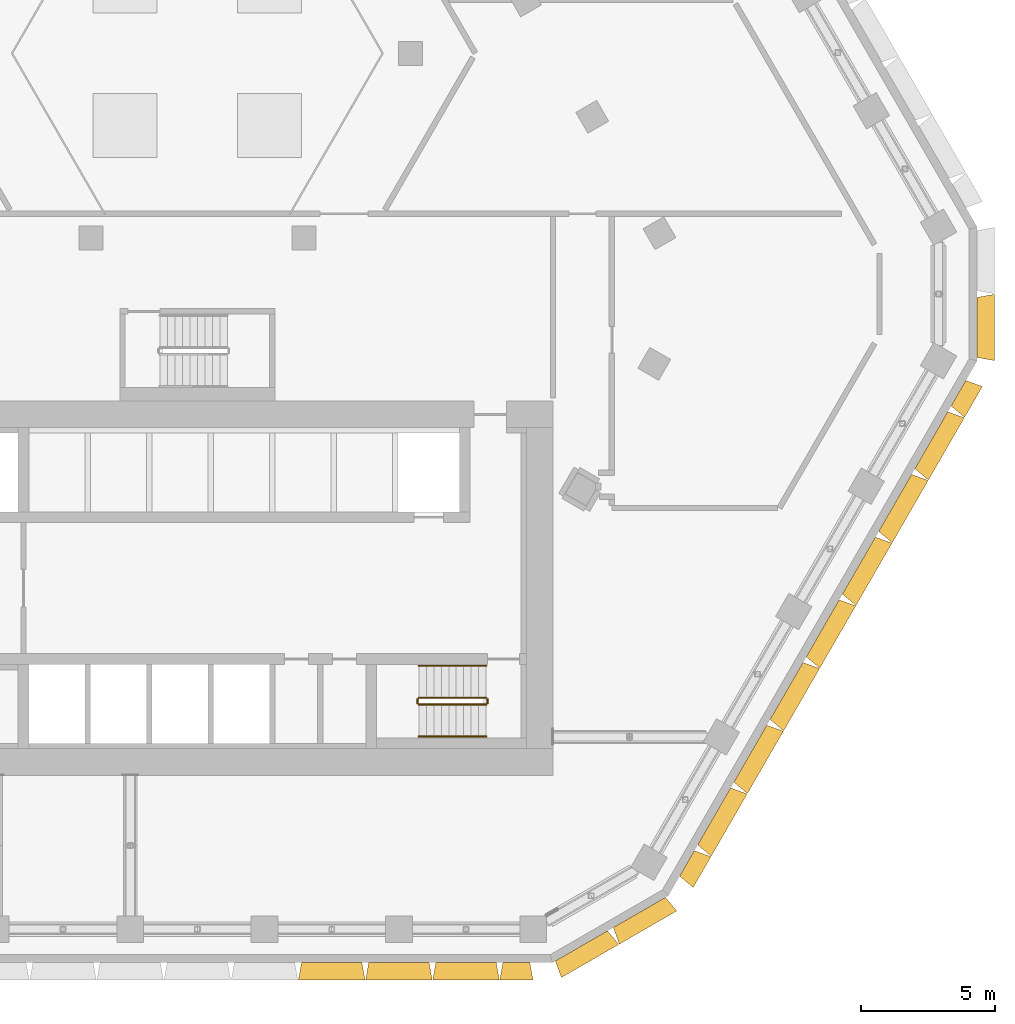
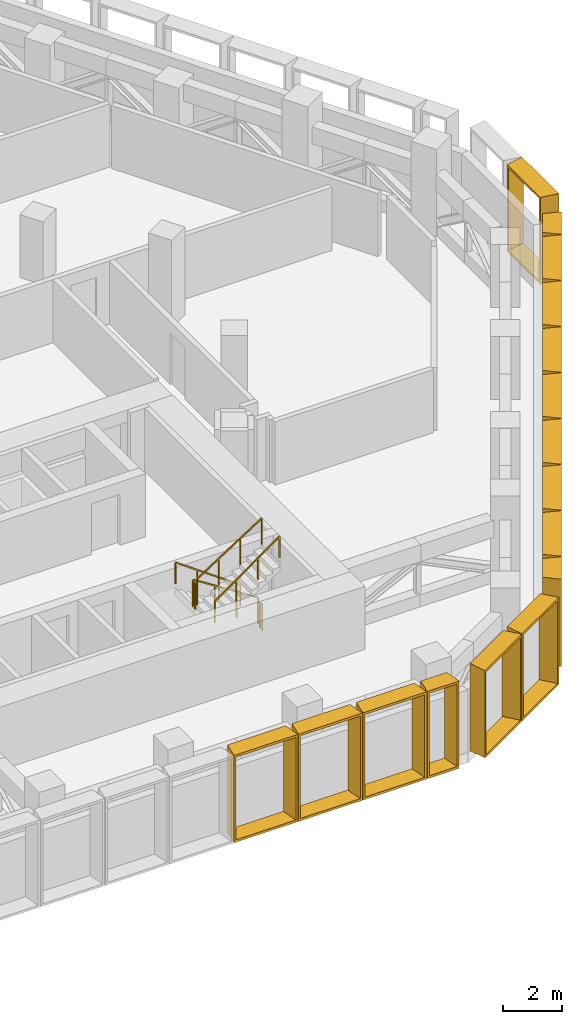
# One storey, part 22 of 23: 16 shading devices, 6 railings.
"""IFC4 building model written with IfcOpenShell, lengths in metres."""

from ifc_helpers import new_model, entity, si_unit, direction, frame, origin, origin_2d, place, context, subcontext, project, spatial, rectangle, extrude, source, transform, mapped, material, type_object, type_shapes, element, save


model = new_model("IFC4")

# Units and contexts
model_context = context("Model", 3, precision=1e-05, world=origin(), true_north=direction((0.0, 1.0)))
body_context = subcontext(model_context, "Body", "Model", "MODEL_VIEW")
ifc_project = project(units=[si_unit("LENGTHUNIT", "METRE"), si_unit("AREAUNIT", "SQUARE_METRE"), si_unit("VOLUMEUNIT", "CUBIC_METRE"), si_unit("PLANEANGLEUNIT", "RADIAN"), si_unit("MASSUNIT", "GRAM", prefix="KILO")], contexts=[model_context])

# Site, building, storey
site_placement = place(None, origin())
site = spatial("IfcSite", under=ifc_project, at=site_placement, CompositionType="ELEMENT")
building_placement = place(site_placement, origin())
building = spatial("IfcBuilding", under=site, at=building_placement, Name="Beryl Residences", CompositionType="ELEMENT")
storey_placement = place(building_placement, frame((0.0, 0.0, 108.0)))
storey = spatial("IfcBuildingStorey", under=building, at=storey_placement, Name="L33", CompositionType="ELEMENT", Elevation=108.0)

# Shading devices
ifc_material_1 = material(Name="Aluminium pale anodised", Category="aluminium")
shading_device_type_1 = type_object("IfcShadingDeviceType", Name="FR126-65A-H36 OUTER SKIN frame 650 mm deep, splay 10/10 deg, 1260 x 3600 mm cell", PredefinedType="USERDEFINED", material=ifc_material_1)
cartesian_point_1 = entity("IfcCartesianPoint", [-0.5048828125, 0.0])
cartesian_point_2 = entity("IfcCartesianPoint", [-0.423828125, 0.10009765625])
cartesian_point_3 = entity("IfcCartesianPoint", [-0.61962890625, 0.0])
cartesian_point_4 = entity("IfcCartesianPoint", [-0.538330078125, 0.10009765625])
shared_shape_1 = source(origin(), body_context, "Body", "SweptSolid", [
    entity("IfcExtrudedAreaSolidTapered", entity("IfcArbitraryProfileDefWithVoids", "AREA", None, entity("IfcPolyline", [cartesian_point_1, entity("IfcCartesianPoint", [0.5048828125, 0.0]), entity("IfcCartesianPoint", [0.5048828125, 3.60009765625]), entity("IfcCartesianPoint", [-0.5048828125, 3.60009765625]), cartesian_point_1]), [entity("IfcPolyline", [cartesian_point_2, entity("IfcCartesianPoint", [0.423828125, 0.10009765625]), entity("IfcCartesianPoint", [0.423828125, 3.5]), entity("IfcCartesianPoint", [-0.423828125, 3.5]), cartesian_point_2])]), entity("IfcAxis2Placement3D", entity("IfcCartesianPoint", [0.0, 0.0, 0.0]), entity("IfcDirection", [0.0, 1.0, 0.0]), entity("IfcDirection", [-1.0, 0.0, 0.0])), entity("IfcDirection", [0.0, 0.0, 1.0]), 0.64990234375, entity("IfcArbitraryProfileDefWithVoids", "AREA", None, entity("IfcPolyline", [cartesian_point_3, entity("IfcCartesianPoint", [0.61962890625, 0.0]), entity("IfcCartesianPoint", [0.61962890625, 3.60009765625]), entity("IfcCartesianPoint", [-0.61962890625, 3.60009765625]), cartesian_point_3]), [entity("IfcPolyline", [cartesian_point_4, entity("IfcCartesianPoint", [0.538330078125, 0.10009765625]), entity("IfcCartesianPoint", [0.538330078125, 3.5]), entity("IfcCartesianPoint", [-0.538330078125, 3.5]), cartesian_point_4])])),
])
type_shapes(shading_device_type_1, [shared_shape_1])
shading_device_placement = place(storey_placement, frame((11.929931640625, -26.0, 0.0), z_axis=(0.0, 0.0, 1.0), x_axis=(-1.0, 0.0, 0.0)))
element("IfcShadingDevice", 1, at=shading_device_placement, inside=storey, type_object=shading_device_type_1, Name="FR126-65A-H36 frame L33 S 11", ObjectType="OUTER SKIN", PredefinedType="USERDEFINED", context=body_context, shape_type="MappedRepresentation", body=[
    mapped(shared_shape_1, transform((0.0, 0.0, 0.0))),
])
ifc_material_2 = material(Name="Aluminium pale anodised", Category="aluminium")
shading_device_type_2 = type_object("IfcShadingDeviceType", Name="FR135-65A-H36 OUTER SKIN frame 650 mm deep, splay 10/10 deg, 1350 x 3600 mm cell", PredefinedType="USERDEFINED", material=ifc_material_2)
cartesian_point_5 = entity("IfcCartesianPoint", [-0.550048828125, 0.0])
cartesian_point_6 = entity("IfcCartesianPoint", [-0.46875, 0.10009765625])
cartesian_point_7 = entity("IfcCartesianPoint", [-0.66455078125, 0.0])
cartesian_point_8 = entity("IfcCartesianPoint", [-0.58349609375, 0.10009765625])
shared_shape_2 = source(origin(), body_context, "Body", "SweptSolid", [
    entity("IfcExtrudedAreaSolidTapered", entity("IfcArbitraryProfileDefWithVoids", "AREA", None, entity("IfcPolyline", [cartesian_point_5, entity("IfcCartesianPoint", [0.550048828125, 0.0]), entity("IfcCartesianPoint", [0.550048828125, 3.60009765625]), entity("IfcCartesianPoint", [-0.550048828125, 3.60009765625]), cartesian_point_5]), [entity("IfcPolyline", [cartesian_point_6, entity("IfcCartesianPoint", [0.46875, 0.10009765625]), entity("IfcCartesianPoint", [0.46875, 3.5]), entity("IfcCartesianPoint", [-0.46875, 3.5]), cartesian_point_6])]), entity("IfcAxis2Placement3D", entity("IfcCartesianPoint", [0.0, 0.0, 0.0]), entity("IfcDirection", [0.0, 1.0, 0.0]), entity("IfcDirection", [-1.0, 0.0, 0.0])), entity("IfcDirection", [0.0, 0.0, 1.0]), 0.64990234375, entity("IfcArbitraryProfileDefWithVoids", "AREA", None, entity("IfcPolyline", [cartesian_point_7, entity("IfcCartesianPoint", [0.66455078125, 0.0]), entity("IfcCartesianPoint", [0.66455078125, 3.60009765625]), entity("IfcCartesianPoint", [-0.66455078125, 3.60009765625]), cartesian_point_7]), [entity("IfcPolyline", [cartesian_point_8, entity("IfcCartesianPoint", [0.58349609375, 0.10009765625]), entity("IfcCartesianPoint", [0.58349609375, 3.5]), entity("IfcCartesianPoint", [-0.58349609375, 3.5]), cartesian_point_8])])),
])
type_shapes(shading_device_type_2, [shared_shape_2])
for number, where, z_axis, x_axis, name in (
    (2, (18.30810546875, -22.2900390625, 0.0), (0.0, 0.0, 1.0), (-0.5, -0.866025403784, 0.0), "FR135-65A-H36 frame L33 SE 1"),
    (3, (28.4580078125, -4.7099609375, 0.0), (0.0, 0.0, 1.0), (-0.5, -0.866025403784, 0.0), "FR135-65A-H36 frame L33 SE 9"),
):
    element("IfcShadingDevice", number, at=place(storey_placement, frame(where, z_axis=z_axis, x_axis=x_axis)), inside=storey, type_object=shading_device_type_2, Name=name, ObjectType="OUTER SKIN", PredefinedType="USERDEFINED", context=body_context, shape_type="MappedRepresentation", body=[
        mapped(shared_shape_2, transform((0.0, 0.0, 0.0))),
    ])
ifc_material_3 = material(Name="Aluminium pale anodised", Category="aluminium")
shading_device_type_3 = type_object("IfcShadingDeviceType", Name="FR250-65A-H36 OUTER SKIN frame 650 mm deep, splay 10/10 deg, 2500 x 3600 mm cell", PredefinedType="USERDEFINED", material=ifc_material_3)
cartesian_point_9 = entity("IfcCartesianPoint", [-1.125, 0.0])
cartesian_point_10 = entity("IfcCartesianPoint", [-1.043701171875, 0.10009765625])
cartesian_point_11 = entity("IfcCartesianPoint", [-1.239501953125, 0.0])
cartesian_point_12 = entity("IfcCartesianPoint", [-1.158447265625, 0.10009765625])
shared_shape_3 = source(origin(), body_context, "Body", "SweptSolid", [
    entity("IfcExtrudedAreaSolidTapered", entity("IfcArbitraryProfileDefWithVoids", "AREA", None, entity("IfcPolyline", [cartesian_point_9, entity("IfcCartesianPoint", [1.125, 0.0]), entity("IfcCartesianPoint", [1.125, 3.60009765625]), entity("IfcCartesianPoint", [-1.125, 3.60009765625]), cartesian_point_9]), [entity("IfcPolyline", [cartesian_point_10, entity("IfcCartesianPoint", [1.043701171875, 0.10009765625]), entity("IfcCartesianPoint", [1.043701171875, 3.5]), entity("IfcCartesianPoint", [-1.043701171875, 3.5]), cartesian_point_10])]), entity("IfcAxis2Placement3D", entity("IfcCartesianPoint", [0.0, 0.0, 0.0]), entity("IfcDirection", [0.0, 1.0, 0.0]), entity("IfcDirection", [-1.0, 0.0, 0.0])), entity("IfcDirection", [0.0, 0.0, 1.0]), 0.64990234375, entity("IfcArbitraryProfileDefWithVoids", "AREA", None, entity("IfcPolyline", [cartesian_point_11, entity("IfcCartesianPoint", [1.239501953125, 0.0]), entity("IfcCartesianPoint", [1.239501953125, 3.60009765625]), entity("IfcCartesianPoint", [-1.239501953125, 3.60009765625]), cartesian_point_11]), [entity("IfcPolyline", [cartesian_point_12, entity("IfcCartesianPoint", [1.158447265625, 0.10009765625]), entity("IfcCartesianPoint", [1.158447265625, 3.5]), entity("IfcCartesianPoint", [-1.158447265625, 3.5]), cartesian_point_12])])),
])
type_shapes(shading_device_type_3, [shared_shape_3])
for number, where, z_axis, x_axis, name in (
    (4, (14.361083984375, -25.375, 0.0), (0.0, 0.0, 1.0), (-0.866025403784, -0.5, 0.0), "FR250-65A-H36 frame L33 S-SE 1"),
    (5, (16.527099609375, -24.125, 0.0), (0.0, 0.0, 1.0), (-0.866025403784, -0.5, 0.0), "FR250-65A-H36 frame L33 S-SE 2"),
    (6, (29.156982421875, -2.25, 0.0), (0.0, 0.0, 1.0), (0.0, -1.0, 0.0), "FR250-65A-H36 frame L33 SE-NE 1"),
):
    element("IfcShadingDevice", number, at=place(storey_placement, frame(where, z_axis=z_axis, x_axis=x_axis)), inside=storey, type_object=shading_device_type_3, Name=name, ObjectType="OUTER SKIN", PredefinedType="USERDEFINED", context=body_context, shape_type="MappedRepresentation", body=[
        mapped(shared_shape_3, transform((0.0, 0.0, 0.0))),
    ])
ifc_material_4 = material(Name="Aluminium pale anodised", Category="aluminium")
shading_device_type_4 = type_object("IfcShadingDeviceType", Name="FR251-65A-H36 OUTER SKIN frame 650 mm deep, splay 10/10 deg, 2510 x 3600 mm cell", PredefinedType="USERDEFINED", material=ifc_material_4)
cartesian_point_13 = entity("IfcCartesianPoint", [-1.1298828125, 0.0])
cartesian_point_14 = entity("IfcCartesianPoint", [-1.048828125, 0.10009765625])
cartesian_point_15 = entity("IfcCartesianPoint", [-1.24462890625, 0.0])
cartesian_point_16 = entity("IfcCartesianPoint", [-1.163330078125, 0.10009765625])
shared_shape_4 = source(origin(), body_context, "Body", "SweptSolid", [
    entity("IfcExtrudedAreaSolidTapered", entity("IfcArbitraryProfileDefWithVoids", "AREA", None, entity("IfcPolyline", [cartesian_point_13, entity("IfcCartesianPoint", [1.1298828125, 0.0]), entity("IfcCartesianPoint", [1.1298828125, 3.60009765625]), entity("IfcCartesianPoint", [-1.1298828125, 3.60009765625]), cartesian_point_13]), [entity("IfcPolyline", [cartesian_point_14, entity("IfcCartesianPoint", [1.048828125, 0.10009765625]), entity("IfcCartesianPoint", [1.048828125, 3.5]), entity("IfcCartesianPoint", [-1.048828125, 3.5]), cartesian_point_14])]), entity("IfcAxis2Placement3D", entity("IfcCartesianPoint", [0.0, 0.0, 0.0]), entity("IfcDirection", [0.0, 1.0, 0.0]), entity("IfcDirection", [-1.0, 0.0, 0.0])), entity("IfcDirection", [0.0, 0.0, 1.0]), 0.64990234375, entity("IfcArbitraryProfileDefWithVoids", "AREA", None, entity("IfcPolyline", [cartesian_point_15, entity("IfcCartesianPoint", [1.24462890625, 0.0]), entity("IfcCartesianPoint", [1.24462890625, 3.60009765625]), entity("IfcCartesianPoint", [-1.24462890625, 3.60009765625]), cartesian_point_15]), [entity("IfcPolyline", [cartesian_point_16, entity("IfcCartesianPoint", [1.163330078125, 0.10009765625]), entity("IfcCartesianPoint", [1.163330078125, 3.5]), entity("IfcCartesianPoint", [-1.163330078125, 3.5]), cartesian_point_16])])),
])
type_shapes(shading_device_type_4, [shared_shape_4])
for number, where, z_axis, x_axis, name in (
    (7, (5.02392578125, -26.0, 0.0), (0.0, 0.0, 1.0), (-1.0, 0.0, 0.0), "FR251-65A-H36 frame L33 S 8"),
    (8, (7.534912109375, -26.0, 0.0), (0.0, 0.0, 1.0), (-1.0, 0.0, 0.0), "FR251-65A-H36 frame L33 S 9"),
    (9, (10.0458984375, -26.0, 0.0), (0.0, 0.0, 1.0), (-1.0, 0.0, 0.0), "FR251-65A-H36 frame L33 S 10"),
):
    element("IfcShadingDevice", number, at=place(storey_placement, frame(where, z_axis=z_axis, x_axis=x_axis)), inside=storey, type_object=shading_device_type_4, Name=name, ObjectType="OUTER SKIN", PredefinedType="USERDEFINED", context=body_context, shape_type="MappedRepresentation", body=[
        mapped(shared_shape_4, transform((0.0, 0.0, 0.0))),
    ])
ifc_material_5 = material(Name="Aluminium pale anodised", Category="aluminium")
shading_device_type_5 = type_object("IfcShadingDeviceType", Name="FR271-65A-H36 OUTER SKIN frame 650 mm deep, splay 10/10 deg, 2710 x 3600 mm cell", PredefinedType="USERDEFINED", material=ifc_material_5)
cartesian_point_17 = entity("IfcCartesianPoint", [-1.22998046875, 0.0])
cartesian_point_18 = entity("IfcCartesianPoint", [-1.148681640625, 0.10009765625])
cartesian_point_19 = entity("IfcCartesianPoint", [-1.3447265625, 0.0])
cartesian_point_20 = entity("IfcCartesianPoint", [-1.263427734375, 0.10009765625])
shared_shape_5 = source(origin(), body_context, "Body", "SweptSolid", [
    entity("IfcExtrudedAreaSolidTapered", entity("IfcArbitraryProfileDefWithVoids", "AREA", None, entity("IfcPolyline", [cartesian_point_17, entity("IfcCartesianPoint", [1.22998046875, 0.0]), entity("IfcCartesianPoint", [1.22998046875, 3.60009765625]), entity("IfcCartesianPoint", [-1.22998046875, 3.60009765625]), cartesian_point_17]), [entity("IfcPolyline", [cartesian_point_18, entity("IfcCartesianPoint", [1.148681640625, 0.10009765625]), entity("IfcCartesianPoint", [1.148681640625, 3.5]), entity("IfcCartesianPoint", [-1.148681640625, 3.5]), cartesian_point_18])]), entity("IfcAxis2Placement3D", entity("IfcCartesianPoint", [0.0, 0.0, 0.0]), entity("IfcDirection", [0.0, 1.0, 0.0]), entity("IfcDirection", [-1.0, 0.0, 0.0])), entity("IfcDirection", [0.0, 0.0, 1.0]), 0.64990234375, entity("IfcArbitraryProfileDefWithVoids", "AREA", None, entity("IfcPolyline", [cartesian_point_19, entity("IfcCartesianPoint", [1.3447265625, 0.0]), entity("IfcCartesianPoint", [1.3447265625, 3.60009765625]), entity("IfcCartesianPoint", [-1.3447265625, 3.60009765625]), cartesian_point_19]), [entity("IfcPolyline", [cartesian_point_20, entity("IfcCartesianPoint", [1.263427734375, 0.10009765625]), entity("IfcCartesianPoint", [1.263427734375, 3.5]), entity("IfcCartesianPoint", [-1.263427734375, 3.5]), cartesian_point_20])])),
])
type_shapes(shading_device_type_5, [shared_shape_5])
for number, where, z_axis, x_axis, name in (
    (10, (19.322998046875, -20.531982421875, 0.0), (0.0, 0.0, 1.0), (-0.5, -0.866025403784, 0.0), "FR271-65A-H36 frame L33 SE 2"),
    (11, (20.676025390625, -18.18798828125, 0.0), (0.0, 0.0, 1.0), (-0.5, -0.866025403784, 0.0), "FR271-65A-H36 frame L33 SE 3"),
    (12, (22.030029296875, -15.843994140625, 0.0), (0.0, 0.0, 1.0), (-0.5, -0.866025403784, 0.0), "FR271-65A-H36 frame L33 SE 4"),
    (13, (23.383056640625, -13.5, 0.0), (0.0, 0.0, 1.0), (-0.5, -0.866025403784, 0.0), "FR271-65A-H36 frame L33 SE 5"),
    (14, (24.736083984375, -11.156005859375, 0.0), (0.0, 0.0, 1.0), (-0.5, -0.866025403784, 0.0), "FR271-65A-H36 frame L33 SE 6"),
    (15, (26.090087890625, -8.81201171875, 0.0), (0.0, 0.0, 1.0), (-0.5, -0.866025403784, 0.0), "FR271-65A-H36 frame L33 SE 7"),
    (16, (27.443115234375, -6.468017578125, 0.0), (0.0, 0.0, 1.0), (-0.5, -0.866025403784, 0.0), "FR271-65A-H36 frame L33 SE 8"),
):
    element("IfcShadingDevice", number, at=place(storey_placement, frame(where, z_axis=z_axis, x_axis=x_axis)), inside=storey, type_object=shading_device_type_5, Name=name, ObjectType="OUTER SKIN", PredefinedType="USERDEFINED", context=body_context, shape_type="MappedRepresentation", body=[
        mapped(shared_shape_5, transform((0.0, 0.0, 0.0))),
    ])

# Railings
ifc_material_6 = material(Name="Stainless steel balustrade with glass infill", Category="steel")
railing_type_1 = type_object("IfcRailingType", Name="SG1 stair guard 1100 mm", PredefinedType="GUARDRAIL", material=ifc_material_6)
railing_1_placement = place(storey_placement, frame((10.800048828125, -16.10009765625, 0.179931640625)))
element("IfcRailing", 17, at=railing_1_placement, inside=storey, type_object=railing_type_1, Name="L33 ST-3 stair guard 1", PredefinedType="GUARDRAIL", context=body_context, shape_type="SweptSolid", body=[
    extrude(rectangle(XDim=0.048095703125, YDim=0.048095703125, at=origin_2d()), frame((0.0, 0.0, 1.076171875), z_axis=(-0.841162588446, 0.0, 0.540782303519), x_axis=(0.0, -1.0, 0.0)), (0.0, 0.0, 1.0), 2.995849609375),
    extrude(rectangle(XDim=0.0419921875, YDim=0.0419921875, at=origin_2d()), origin(), (0.0, 0.0, 1.0), 1.052001953125),
    extrude(rectangle(XDim=0.0419921875, YDim=0.0419921875, at=origin_2d()), frame((-0.840087890625, 0.0, 0.5400390625)), (0.0, 0.0, 1.0), 1.052001953125),
    extrude(rectangle(XDim=0.0419921875, YDim=0.0419921875, at=origin_2d()), frame((-1.679931640625, 0.0, 1.080078125)), (0.0, 0.0, 1.0), 1.052001953125),
    extrude(rectangle(XDim=0.0419921875, YDim=0.0419921875, at=origin_2d()), frame((-2.52001953125, 0.0, 1.6201171875)), (0.0, 0.0, 1.0), 1.052001953125),
])
railing_2_placement = place(storey_placement, frame((8.22998046875, -16.14990234375, 1.800048828125)))
element("IfcRailing", 18, at=railing_2_placement, inside=storey, type_object=railing_type_1, Name="L33 ST-3 stair guard 2", PredefinedType="GUARDRAIL", context=body_context, shape_type="SweptSolid", body=[
    extrude(rectangle(XDim=0.048095703125, YDim=0.048095703125, at=origin_2d()), frame((0.0, 0.0, 1.076171875), z_axis=(0.0, -1.0, 0.0), x_axis=(1.0, 0.0, 0.0)), (0.0, 0.0, 1.0), 0.150146484375),
    extrude(rectangle(XDim=0.0419921875, YDim=0.0419921875, at=origin_2d()), origin(), (0.0, 0.0, 1.0), 1.052001953125),
    extrude(rectangle(XDim=0.0419921875, YDim=0.0419921875, at=origin_2d()), frame((0.0, -0.150146484375, 0.0)), (0.0, 0.0, 1.0), 1.052001953125),
])
railing_3_placement = place(storey_placement, frame((8.280029296875, -16.35009765625, 1.97998046875)))
element("IfcRailing", 19, at=railing_3_placement, inside=storey, type_object=railing_type_1, Name="L33 ST-3 stair guard 3", PredefinedType="GUARDRAIL", context=body_context, shape_type="SweptSolid", body=[
    extrude(rectangle(XDim=0.048095703125, YDim=0.048095703125, at=origin_2d()), frame((0.0, 0.0, 1.076171875), z_axis=(0.841162588446, 0.0, 0.540782303519), x_axis=(0.0, 1.0, 0.0)), (0.0, 0.0, 1.0), 2.995849609375),
    extrude(rectangle(XDim=0.0419921875, YDim=0.0419921875, at=origin_2d()), origin(), (0.0, 0.0, 1.0), 1.052001953125),
    extrude(rectangle(XDim=0.0419921875, YDim=0.0419921875, at=origin_2d()), frame((0.840087890625, 0.0, 0.5400390625)), (0.0, 0.0, 1.0), 1.052001953125),
    extrude(rectangle(XDim=0.0419921875, YDim=0.0419921875, at=origin_2d()), frame((1.679931640625, 0.0, 1.080078125)), (0.0, 0.0, 1.0), 1.052001953125),
    extrude(rectangle(XDim=0.0419921875, YDim=0.0419921875, at=origin_2d()), frame((2.52001953125, 0.0, 1.6201171875)), (0.0, 0.0, 1.0), 1.052001953125),
])
railing_4_placement = place(storey_placement, frame((10.85009765625, -16.14990234375, 0.0)))
element("IfcRailing", 20, at=railing_4_placement, inside=storey, type_object=railing_type_1, Name="L33 ST-3 stair guard 4", PredefinedType="GUARDRAIL", context=body_context, shape_type="SweptSolid", body=[
    extrude(rectangle(XDim=0.048095703125, YDim=0.048095703125, at=origin_2d()), frame((0.0, 0.0, 1.076171875), z_axis=(0.0, -1.0, 0.0), x_axis=(1.0, 0.0, 0.0)), (0.0, 0.0, 1.0), 0.150146484375),
    extrude(rectangle(XDim=0.0419921875, YDim=0.0419921875, at=origin_2d()), origin(), (0.0, 0.0, 1.0), 1.052001953125),
    extrude(rectangle(XDim=0.0419921875, YDim=0.0419921875, at=origin_2d()), frame((0.0, -0.150146484375, 0.0)), (0.0, 0.0, 1.0), 1.052001953125),
])
ifc_material_7 = material(Name="Stainless steel handrail", Category="steel")
railing_type_2 = type_object("IfcRailingType", Name="SRL1 stair handrail 900 mm", PredefinedType="HANDRAIL", material=ifc_material_7)
railing_5_placement = place(storey_placement, frame((10.800048828125, -14.89990234375, 0.179931640625)))
element("IfcRailing", 21, at=railing_5_placement, inside=storey, type_object=railing_type_2, Name="L33 ST-3 stair handrail 1", PredefinedType="HANDRAIL", context=body_context, shape_type="SweptSolid", body=[
    extrude(rectangle(XDim=0.048095703125, YDim=0.048095703125, at=origin_2d()), frame((0.0, 0.0, 0.8759765625), z_axis=(-0.813728144527, 0.0, 0.581245650998), x_axis=(0.0, -1.0, 0.0)), (0.0, 0.0, 1.0), 3.096923828125),
    extrude(rectangle(XDim=0.0419921875, YDim=0.0419921875, at=origin_2d()), origin(), (0.0, 0.0, 1.0), 0.851806640625),
    extrude(rectangle(XDim=0.0419921875, YDim=0.0419921875, at=origin_2d()), frame((-0.840087890625, 0.0, 0.60009765625)), (0.0, 0.0, 1.0), 0.851806640625),
    extrude(rectangle(XDim=0.0419921875, YDim=0.0419921875, at=origin_2d()), frame((-1.679931640625, 0.0, 1.199951171875)), (0.0, 0.0, 1.0), 0.851806640625),
    extrude(rectangle(XDim=0.0419921875, YDim=0.0419921875, at=origin_2d()), frame((-2.52001953125, 0.0, 1.800048828125)), (0.0, 0.0, 1.0), 0.851806640625),
])
railing_6_placement = place(storey_placement, frame((8.280029296875, -17.550048828125, 1.97998046875)))
element("IfcRailing", 22, at=railing_6_placement, inside=storey, type_object=railing_type_2, Name="L33 ST-3 stair handrail 2", PredefinedType="HANDRAIL", context=body_context, shape_type="SweptSolid", body=[
    extrude(rectangle(XDim=0.048095703125, YDim=0.048095703125, at=origin_2d()), frame((0.0, 0.0, 0.8759765625), z_axis=(0.813728144527, 0.0, 0.581245650998), x_axis=(0.0, 1.0, 0.0)), (0.0, 0.0, 1.0), 3.096923828125),
    extrude(rectangle(XDim=0.0419921875, YDim=0.0419921875, at=origin_2d()), origin(), (0.0, 0.0, 1.0), 0.851806640625),
    extrude(rectangle(XDim=0.0419921875, YDim=0.0419921875, at=origin_2d()), frame((0.840087890625, 0.0, 0.60009765625)), (0.0, 0.0, 1.0), 0.851806640625),
    extrude(rectangle(XDim=0.0419921875, YDim=0.0419921875, at=origin_2d()), frame((1.679931640625, 0.0, 1.199951171875)), (0.0, 0.0, 1.0), 0.851806640625),
    extrude(rectangle(XDim=0.0419921875, YDim=0.0419921875, at=origin_2d()), frame((2.52001953125, 0.0, 1.800048828125)), (0.0, 0.0, 1.0), 0.851806640625),
])

save(model, "model.ifc")
